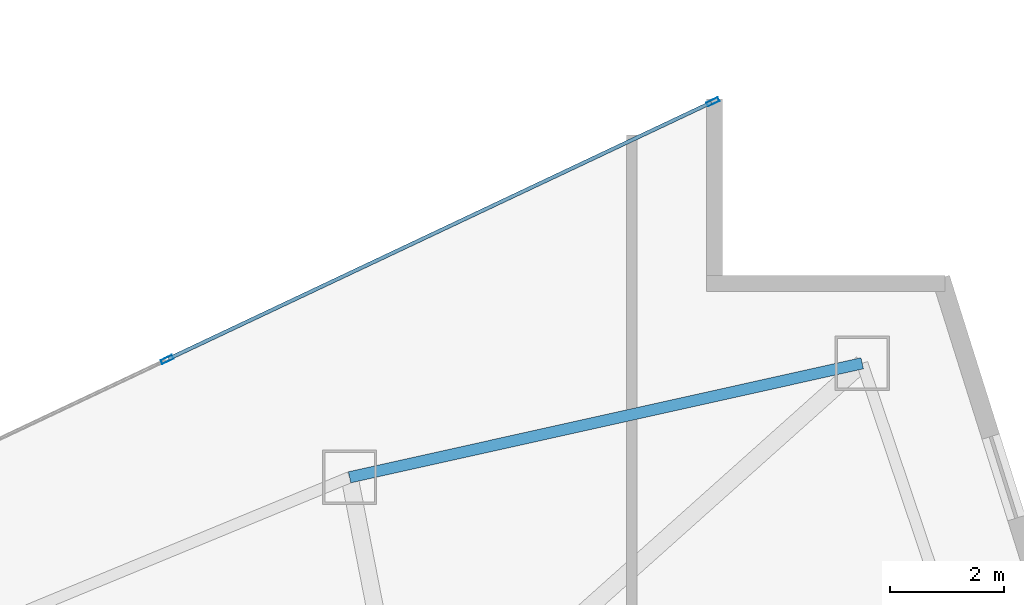
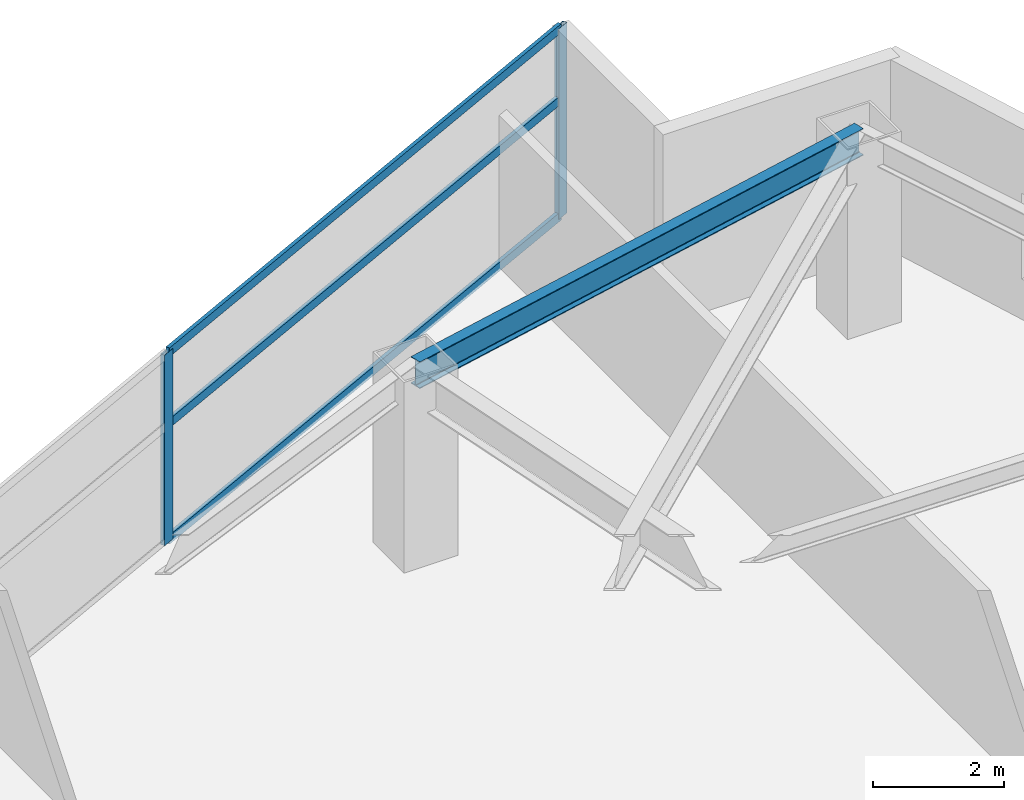
# One storey, part 20 of 29: 5 members, 1 beam, 1 element without a shape of its own.
"""IFC4 building model written with IfcOpenShell, lengths in metres."""

import ifcopenshell
import ifcopenshell.guid

model = None  # the IFC model being written
_history = None  # IfcOwnerHistory: only IFC2X3 demands one
_inside = {}  # id of a spatial element -> (the spatial element, [elements in it])
_under = {}  # id of a project, library or spatial element -> (it, [spatial elements below it])
_declared = {}  # id of a project -> (the project, [libraries it declares])
_typed = {}  # id of a type object -> (the type object, [elements of that type])
_made_of = {}  # id of a material, layer set ... -> (it, [elements and type objects made of it])


def new_model(schema):
    """Start an empty IFC model of exactly this schema.

    Asked for "IFC4X3", IfcOpenShell would pick the latest addendum, in which some entities
    have other attributes; the version numbers below select the first issue.
    IFC2X3 requires an IfcOwnerHistory on every rooted entity: one is made here for all.
    """
    global model, _history
    if schema == "IFC4X3":
        model = ifcopenshell.file(schema_version=(4, 3, 0, 0))
    else:
        model = ifcopenshell.file(schema=schema)
    _inside.clear()
    _under.clear()
    _declared.clear()
    _typed.clear()
    _made_of.clear()
    _history = None
    if model.schema == "IFC2X3":
        org = make("IfcOrganization", Name="unknown")
        user = make(
            "IfcPersonAndOrganization",
            ThePerson=make("IfcPerson", FamilyName="unknown"),
            TheOrganization=org,
        )
        app = make(
            "IfcApplication",
            ApplicationDeveloper=org,
            Version="unknown",
            ApplicationFullName="unknown",
            ApplicationIdentifier="unknown",
        )
        _history = make(
            "IfcOwnerHistory",
            OwningUser=user,
            OwningApplication=app,
            ChangeAction="ADDED",
            CreationDate=0,
        )
    return model


def make(cls, **values):
    """One entity of the class cls with the attributes given. An attribute that is None is left unset."""
    return model.create_entity(
        cls, **{name: value for name, value in values.items() if value is not None}
    )


def rooted(cls, **values):
    """An entity with a GlobalId (a new one), such as an element, a storey or a relation."""
    return make(cls, GlobalId=ifcopenshell.guid.new(), OwnerHistory=_history, **values)


def si_unit(unit_type, name, prefix=None):
    """IfcSIUnit, for example si_unit("LENGTHUNIT", "METRE", prefix="MILLI")."""
    return make("IfcSIUnit", UnitType=unit_type, Prefix=prefix, Name=name)


def assignment(units):
    """IfcUnitAssignment: the units of a project."""
    return None if units is None else make("IfcUnitAssignment", Units=units)


def point(xyz):
    """IfcCartesianPoint."""
    return None if xyz is None else make("IfcCartesianPoint", Coordinates=xyz)


def direction(xyz):
    """IfcDirection."""
    return None if xyz is None else make("IfcDirection", DirectionRatios=xyz)


def frame(location, z_axis=None, x_axis=None):
    """IfcAxis2Placement3D, a coordinate frame: its origin and axes. An axis left out is left unset."""
    return make(
        "IfcAxis2Placement3D",
        Location=point(location),
        Axis=direction(z_axis),
        RefDirection=direction(x_axis),
    )


def frame_2d(location, x_axis=None):
    """IfcAxis2Placement2D, a coordinate frame in the plane: its origin and x axis."""
    return make(
        "IfcAxis2Placement2D", Location=point(location), RefDirection=direction(x_axis)
    )


def origin():
    """The frame at (0, 0, 0) with its axes left unset."""
    return frame((0.0, 0.0, 0.0))


def origin_2d():
    """The frame at (0, 0) in the plane with its x axis left unset."""
    return frame_2d((0.0, 0.0))


def place(relative_to, where):
    """IfcLocalPlacement: puts the frame where relative to a parent placement (None: the world)."""
    return make(
        "IfcLocalPlacement", PlacementRelTo=relative_to, RelativePlacement=where
    )


def context(
    kind, dimensions, precision=None, world=None, true_north=None, identifier=None
):
    """IfcGeometricRepresentationContext, for example the 3D "Model" context."""
    return make(
        "IfcGeometricRepresentationContext",
        ContextIdentifier=identifier,
        ContextType=kind,
        CoordinateSpaceDimension=dimensions,
        Precision=precision,
        WorldCoordinateSystem=world,
        TrueNorth=true_north,
    )


def subcontext(parent, identifier, kind, view, scale=None):
    """IfcGeometricRepresentationSubContext, for example "Body" below "Model"."""
    return make(
        "IfcGeometricRepresentationSubContext",
        ContextIdentifier=identifier,
        ContextType=kind,
        ParentContext=parent,
        TargetScale=scale,
        TargetView=view,
    )


def project(units=None, contexts=None):
    """IfcProject with its units and contexts."""
    return rooted(
        "IfcProject",
        Name="project",
        RepresentationContexts=contexts,
        UnitsInContext=assignment(units),
    )


def spatial(cls, under=None, at=None, **own):
    """A site, building, storey or space (cls), placed at a placement, below another one or the project."""
    s = rooted(cls, ObjectPlacement=at, **own)
    if under is not None:
        _under.setdefault(under.id(), (under, []))[1].append(s)
    return s


def profile(cls, at=None, kind="AREA", **sizes):
    """A parametric profile (cls). Its sizes go by their IFC names, for example OverallWidth=200.0."""
    return make(cls, ProfileType=kind, Position=at, **sizes)


def hollow_rectangle(**sizes):
    """IfcRectangleHollowProfileDef."""
    return profile("IfcRectangleHollowProfileDef", **sizes)


def i_section(**sizes):
    """IfcIShapeProfileDef."""
    return profile("IfcIShapeProfileDef", **sizes)


def extrude(swept, where, along, depth):
    """IfcExtrudedAreaSolid: the profile swept, set in the frame where, extruded along a direction by depth."""
    return make(
        "IfcExtrudedAreaSolid",
        SweptArea=swept,
        Position=where,
        ExtrudedDirection=direction(along),
        Depth=depth,
    )


def shape(context_of_items, identifier, shape_type, items):
    """IfcShapeRepresentation: the items that make up one representation, for example the "Body"."""
    return make(
        "IfcShapeRepresentation",
        ContextOfItems=context_of_items,
        RepresentationIdentifier=identifier,
        RepresentationType=shape_type,
        Items=items,
    )


def material(Name=None, Category=None):
    """IfcMaterial."""
    return make("IfcMaterial", Name=Name, Category=Category)


def layer(
    of_material, thickness, ventilated=None, Name=None, Category=None, Priority=None
):
    """IfcMaterialLayer: one layer of a wall or slab, of a material (None: an air gap)."""
    return make(
        "IfcMaterialLayer",
        Material=of_material,
        LayerThickness=thickness,
        IsVentilated=ventilated,
        Name=Name,
        Category=Category,
        Priority=Priority,
    )


def layer_set(layers, Name=None):
    """IfcMaterialLayerSet."""
    return make("IfcMaterialLayerSet", MaterialLayers=layers, LayerSetName=Name)


def material_profile(
    of_material, cross_section, Name=None, Category=None, Priority=None
):
    """IfcMaterialProfile: a cross section and its material."""
    return make(
        "IfcMaterialProfile",
        Name=Name,
        Material=of_material,
        Profile=cross_section,
        Priority=Priority,
        Category=Category,
    )


def profile_set(profiles, Name=None, composite=None):
    """IfcMaterialProfileSet."""
    return make(
        "IfcMaterialProfileSet",
        Name=Name,
        MaterialProfiles=profiles,
        CompositeProfile=composite,
    )


def made_of(thing, what):
    """Note that an element or type object is made of a material, layer set ...; save() writes the relation."""
    if what is not None:
        _made_of.setdefault(what.id(), (what, []))[1].append(thing)
    return thing


def type_object(cls, material=None, **own):
    """A type object (cls), such as IfcWallType, which elements share."""
    return made_of(rooted(cls, **own), material)


def element(
    cls,
    number,
    at=None,
    inside=None,
    cuts=None,
    type_object=None,
    material=None,
    context=None,
    identifier="Body",
    shape_type=None,
    held_by="IfcProductDefinitionShape",
    body=None,
    shapes=None,
    **own,
):
    """One element of the class cls, such as IfcWall. Its Tag is "e" and its number.

    at: its placement. inside: the storey or other place that contains it. cuts: it is an
    opening in that element (IfcRelVoidsElement). A single representation is given by context,
    identifier, shape_type and body (its items); several are given by shapes. held_by: the class
    of the entity that holds the representations. save() writes the other relations.
    """
    e = rooted(cls, Tag="e%d" % number, ObjectPlacement=at, **own)
    if body is not None:
        shapes = [shape(context, identifier, shape_type, body)]
    if shapes is not None:
        e.Representation = make(held_by, Representations=shapes)
    if inside is not None:
        _inside.setdefault(inside.id(), (inside, []))[1].append(e)
    if cuts is not None:
        rooted(
            "IfcRelVoidsElement", RelatingBuildingElement=cuts, RelatedOpeningElement=e
        )
    if type_object is not None:
        _typed.setdefault(type_object.id(), (type_object, []))[1].append(e)
    return made_of(e, material)


def aggregate(whole, parts):
    """IfcRelAggregates: a whole, such as a stair, and the parts it consists of."""
    return rooted("IfcRelAggregates", RelatingObject=whole, RelatedObjects=parts)


def save(model, path):
    """Write the relations noted so far, then the file.

    IfcRelAggregates (storeys below a building ...), IfcRelContainedInSpatialStructure (elements
    in a storey), IfcRelDefinesByType, IfcRelAssociatesMaterial and IfcRelDeclares: one each for
    every whole, place, type object, material and project.
    """
    for whole, parts in _under.values():
        aggregate(whole, parts)
    for where, things in _inside.values():
        rooted(
            "IfcRelContainedInSpatialStructure",
            RelatedElements=things,
            RelatingStructure=where,
        )
    for kind, things in _typed.values():
        rooted("IfcRelDefinesByType", RelatedObjects=things, RelatingType=kind)
    for what, things in _made_of.values():
        rooted("IfcRelAssociatesMaterial", RelatedObjects=things, RelatingMaterial=what)
    for by, libraries in _declared.values():
        rooted("IfcRelDeclares", RelatingContext=by, RelatedDefinitions=libraries)
    model.write(path)


model = new_model("IFC4")

# Units and contexts
model_context = context("Model", 3, precision=1e-05, world=origin(), true_north=direction((0.0, 1.0)))
body_context = subcontext(model_context, "Body", "Model", "MODEL_VIEW")
ifc_project = project(units=[si_unit("LENGTHUNIT", "METRE"), si_unit("AREAUNIT", "SQUARE_METRE"), si_unit("VOLUMEUNIT", "CUBIC_METRE"), si_unit("PLANEANGLEUNIT", "RADIAN"), si_unit("MASSUNIT", "GRAM", prefix="KILO")], contexts=[model_context])

# Site, building, storey
site_placement = place(None, origin())
site = spatial("IfcSite", under=ifc_project, at=site_placement, CompositionType="ELEMENT")
building_placement = place(site_placement, origin())
building = spatial("IfcBuilding", under=site, at=building_placement, Name="Calvorn Quay Hotel", CompositionType="ELEMENT")
storey_placement = place(building_placement, frame((0.0, 0.0, 69.800048828125)))
storey = spatial("IfcBuildingStorey", under=building, at=storey_placement, Name="L16", CompositionType="ELEMENT", Elevation=69.800048828125)

# Beam
ifc_material_1 = material(Name="Steel Q355B", Category="steel")
ifc_material_profile_1 = material_profile(ifc_material_1, i_section(OverallWidth=0.199951171875, OverallDepth=0.5, WebThickness=0.010009765625, FlangeThickness=0.01611328125, FilletRadius=0.01611328125, at=origin_2d()), Name="HN500x200x10x16")
ifc_profile_set_1 = profile_set([ifc_material_profile_1], Name="Steel Q355B")
beam_type = type_object("IfcBeamType", Name="BM-SPANDREL-Z1", PredefinedType="SPANDREL", material=ifc_profile_set_1)
beam_placement = place(storey_placement, frame((52.990966796875, 33.39990234375, 3.2900390625), z_axis=(-0.976140886259, -0.217138136156, 0.0), x_axis=(0.217138136156, -0.976140886259, 0.0)))
element("IfcBeam", 1, at=beam_placement, inside=storey, type_object=beam_type, Name="Beam BSP-L16-E3", PredefinedType="SPANDREL", context=body_context, shape_type="SweptSolid", body=[
    extrude(i_section(OverallWidth=0.199951171875, OverallDepth=0.5, WebThickness=0.010009765625, FlangeThickness=0.01611328125, FilletRadius=0.01611328125, at=origin_2d()), origin(), (0.0, 0.0, 1.0), 9.210693359375),
])

# Curtain wall, members
ifc_material_2 = material(Name="Pale Anodised Aluminium and Low-E Glass", Category="aluminium")
ifc_layer = layer(ifc_material_2, 0.219970703125)
ifc_layer_set = layer_set([ifc_layer], Name="CW-SYS-Z1")
curtain_wall_type = type_object("IfcCurtainWallType", Name="CW-SYS-Z1", PredefinedType="NOTDEFINED", material=ifc_layer_set)
curtain_wall_placement = place(storey_placement, origin())
curtain_wall = element("IfcCurtainWall", 2, at=curtain_wall_placement, inside=storey, type_object=curtain_wall_type, Name="Inner Court Curtain Wall L16-NE1", PredefinedType="NOTDEFINED")
ifc_material_3 = material(Name="Pale Anodised Aluminium 6063-T6", Category="aluminium")
ifc_material_profile_2 = material_profile(ifc_material_3, hollow_rectangle(XDim=0.074951171875, YDim=0.219970703125, WallThickness=0.00439453125, at=origin_2d()), Name="ALU-M220x75x4.5")
ifc_profile_set_2 = profile_set([ifc_material_profile_2], Name="Pale Anodised Aluminium 6063-T6")
member_type_1 = type_object("IfcMemberType", Name="CW-SYS-Z1-MUL", PredefinedType="MULLION", material=ifc_profile_set_2)
member_1_placement = place(storey_placement, frame((50.372802734375, 37.9873046875, 0.0), z_axis=(0.0, 0.0, 1.0), x_axis=(0.427006305415, -0.904248646743, 0.0)))
member_1 = element("IfcMember", 3, at=member_1_placement, type_object=member_type_1, Name="CW-L16-NE1 mullion 1", PredefinedType="MULLION", context=body_context, shape_type="SweptSolid", body=[
    extrude(hollow_rectangle(XDim=0.074951171875, YDim=0.219970703125, WallThickness=0.00439453125, at=origin_2d()), origin(), (0.0, 0.0, 1.0), 3.56005859375),
])
member_2_placement = place(storey_placement, frame((40.800048828125, 33.466552734375, 0.0), z_axis=(0.0, 0.0, 1.0), x_axis=(0.427006305415, -0.904248646743, 0.0)))
member_2 = element("IfcMember", 4, at=member_2_placement, type_object=member_type_1, Name="CW-L16-NE1 mullion 2", PredefinedType="MULLION", context=body_context, shape_type="SweptSolid", body=[
    extrude(hollow_rectangle(XDim=0.074951171875, YDim=0.219970703125, WallThickness=0.00439453125, at=origin_2d()), origin(), (0.0, 0.0, 1.0), 3.56005859375),
])
ifc_material_4 = material(Name="Pale Anodised Aluminium 6063-T6", Category="aluminium")
ifc_material_profile_3 = material_profile(ifc_material_4, hollow_rectangle(XDim=0.06494140625, YDim=0.1650390625, WallThickness=0.00341796875, at=origin_2d()), Name="ALU-T165x65x3.5")
ifc_profile_set_3 = profile_set([ifc_material_profile_3], Name="Pale Anodised Aluminium 6063-T6")
member_type_2 = type_object("IfcMemberType", Name="CW-SYS-Z1-TRN", PredefinedType="USERDEFINED", material=ifc_profile_set_3)
member_3_placement = place(storey_placement, frame((50.345703125, 37.974365234375, 0.030029296875), z_axis=(-0.904248646746, -0.427006305408, 0.0), x_axis=(0.427006305408, -0.904248646746, 0.0)))
member_3 = element("IfcMember", 5, at=member_3_placement, type_object=member_type_2, Name="CW-L16-NE1 transom 1.1", ObjectType="TRANSOM", PredefinedType="USERDEFINED", context=body_context, shape_type="SweptSolid", body=[
    extrude(hollow_rectangle(XDim=0.06494140625, YDim=0.1650390625, WallThickness=0.00341796875, at=origin_2d()), origin(), (0.0, 0.0, 1.0), 10.5263671875),
])
member_4_placement = place(storey_placement, frame((50.345703125, 37.974365234375, 2.199951171875), z_axis=(-0.904248646746, -0.427006305408, 0.0), x_axis=(0.427006305408, -0.904248646746, 0.0)))
member_4 = element("IfcMember", 6, at=member_4_placement, type_object=member_type_2, Name="CW-L16-NE1 transom 1.2", ObjectType="TRANSOM", PredefinedType="USERDEFINED", context=body_context, shape_type="SweptSolid", body=[
    extrude(hollow_rectangle(XDim=0.06494140625, YDim=0.1650390625, WallThickness=0.00341796875, at=origin_2d()), origin(), (0.0, 0.0, 1.0), 10.5263671875),
])
member_5_placement = place(storey_placement, frame((50.345703125, 37.974365234375, 3.530029296875), z_axis=(-0.904248646746, -0.427006305408, 0.0), x_axis=(0.427006305408, -0.904248646746, 0.0)))
member_5 = element("IfcMember", 7, at=member_5_placement, type_object=member_type_2, Name="CW-L16-NE1 transom 1.3", ObjectType="TRANSOM", PredefinedType="USERDEFINED", context=body_context, shape_type="SweptSolid", body=[
    extrude(hollow_rectangle(XDim=0.06494140625, YDim=0.1650390625, WallThickness=0.00341796875, at=origin_2d()), origin(), (0.0, 0.0, 1.0), 10.5263671875),
])
aggregate(curtain_wall, [member_1, member_2, member_3, member_4, member_5])

save(model, "model.ifc")
